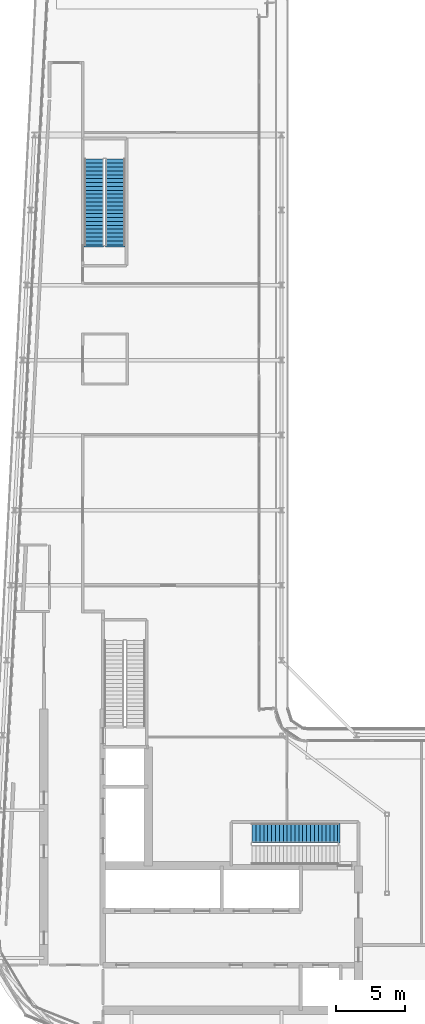
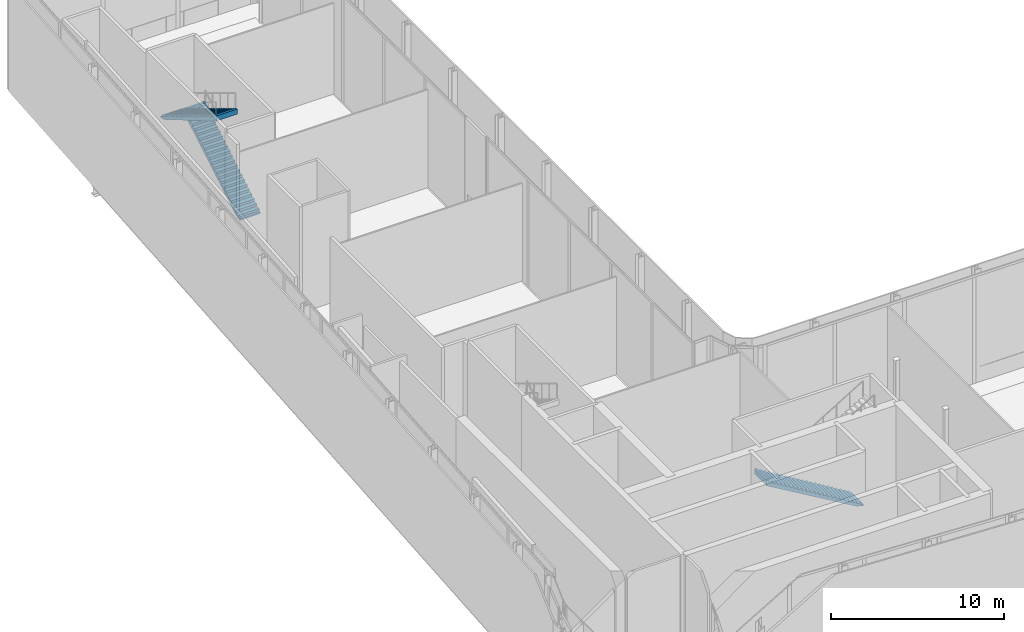
# One storey, part 24 of 28: 3 stair flights, 2 elements without a shape of their own.
"""IFC4 building model written with IfcOpenShell, lengths in metres."""

from ifc_helpers import new_model, si_unit, direction, frame, origin, place, context, subcontext, project, spatial, polyline, outline, extrude, material, layer, layer_set, type_object, element, aggregate, save


model = new_model("IFC4")

# Units and contexts
model_context = context("Model", 3, precision=1e-05, world=origin(), true_north=direction((0.0, 1.0)))
body_context = subcontext(model_context, "Body", "Model", "MODEL_VIEW")
ifc_project = project(units=[si_unit("LENGTHUNIT", "METRE"), si_unit("AREAUNIT", "SQUARE_METRE"), si_unit("VOLUMEUNIT", "CUBIC_METRE"), si_unit("PLANEANGLEUNIT", "RADIAN"), si_unit("MASSUNIT", "GRAM", prefix="KILO")], contexts=[model_context])

# Site, building, storey
site_placement = place(None, origin())
site = spatial("IfcSite", under=ifc_project, at=site_placement, CompositionType="ELEMENT")
building_placement = place(site_placement, origin())
building = spatial("IfcBuilding", under=site, at=building_placement, Name="Kheshtan School and Residences Tower", CompositionType="ELEMENT")
storey_placement = place(building_placement, frame((0.0, 0.0, 325.39990234375)))
storey = spatial("IfcBuildingStorey", under=building, at=storey_placement, Name="L77", CompositionType="ELEMENT", Elevation=325.39990234375)

# Stair, stair flight
ifc_material = material(Name="Concrete C40/50", Category="concrete")
stair_type = type_object("IfcStairType", Name="Exit stair, half-turn", PredefinedType="HALF_TURN_STAIR", material=ifc_material)
stair_1_placement = place(storey_placement, origin())
stair_1 = element("IfcStair", 1, at=stair_1_placement, inside=storey, type_object=stair_type, Name="L77 Protected Exit Stair ST1", PredefinedType="HALF_TURN_STAIR")
ifc_layer = layer(ifc_material, 0.14990234375)
ifc_layer_set = layer_set([ifc_layer], Name="Stair flight 1400 Concrete C40/50")
stair_flight_type = type_object("IfcStairFlightType", Name="Stair flight 1400 Concrete C40/50", PredefinedType="STRAIGHT", material=ifc_layer_set)
stair_flight_1_placement = place(storey_placement, frame((51.64990234375, 38.550048828125, 0.0), z_axis=(0.0, 0.0, 1.0), x_axis=(-1.0, 0.0, 0.0)))
stair_flight_1 = element("IfcStairFlight", 2, at=stair_flight_1_placement, type_object=stair_flight_type, Name="ST1 flight 1", NumberOfRisers=23, NumberOfTreads=22, PredefinedType="STRAIGHT", RiserHeight=0.169565217, TreadLength=0.28, context=body_context, shape_type="SweptSolid", body=[
    extrude(outline(polyline([(-0.14990234375, -0.10009765625), (-0.14990234375, 0.0), (0.0, 0.0), (0.0, 0.169677734375), (0.280029296875, 0.169677734375), (0.280029296875, 0.339111328125), (0.56005859375, 0.339111328125), (0.56005859375, 0.5087890625), (0.840087890625, 0.5087890625), (0.840087890625, 0.67822265625), (1.1201171875, 0.67822265625), (1.1201171875, 0.847900390625), (1.39990234375, 0.847900390625), (1.39990234375, 1.017333984375), (1.679931640625, 1.017333984375), (1.679931640625, 1.18701171875), (1.9599609375, 1.18701171875), (1.9599609375, 1.3564453125), (2.239990234375, 1.3564453125), (2.239990234375, 1.526123046875), (2.52001953125, 1.526123046875), (2.52001953125, 1.695556640625), (2.800048828125, 1.695556640625), (2.800048828125, 1.865234375), (3.080078125, 1.865234375), (3.080078125, 2.03466796875), (3.360107421875, 2.03466796875), (3.360107421875, 2.204345703125), (3.639892578125, 2.204345703125), (3.639892578125, 2.3740234375), (3.919921875, 2.3740234375), (3.919921875, 2.54345703125), (4.199951171875, 2.54345703125), (4.199951171875, 2.713134765625), (4.47998046875, 2.713134765625), (4.47998046875, 2.882568359375), (4.760009765625, 2.882568359375), (4.760009765625, 3.05224609375), (5.0400390625, 3.05224609375), (5.0400390625, 3.2216796875), (5.320068359375, 3.2216796875), (5.320068359375, 3.391357421875), (5.60009765625, 3.391357421875), (5.60009765625, 3.560791015625), (5.8798828125, 3.560791015625), (5.8798828125, 3.73046875), (6.159912109375, 3.73046875), (6.159912109375, 3.89990234375), (6.159912109375, 3.919921875), (6.309814453125, 3.919921875), (6.309814453125, 3.55517578125), (0.289306640625, 0.0), (-0.14990234375, -0.10009765625)])), frame((0.0, 0.699951171875, 0.0), z_axis=(0.0, -1.0, 0.0), x_axis=(1.0, 0.0, 0.0)), (0.0, 0.0, 1.0), 1.39990234375),
])
aggregate(stair_1, [stair_flight_1])

# Stair, stair flights
stair_2_placement = place(storey_placement, origin())
stair_2 = element("IfcStair", 3, at=stair_2_placement, inside=storey, type_object=stair_type, Name="L77 Protected Exit Stair ST3", PredefinedType="HALF_TURN_STAIR")
stair_flight_2_placement = place(storey_placement, frame((35.64990234375, 80.89990234375, 0.0), z_axis=(0.0, 0.0, 1.0), x_axis=(0.0, 1.0, 0.0)))
stair_flight_2 = element("IfcStairFlight", 4, at=stair_flight_2_placement, type_object=stair_flight_type, Name="ST3 flight 1", NumberOfRisers=23, NumberOfTreads=22, PredefinedType="STRAIGHT", RiserHeight=0.169565217, TreadLength=0.28, context=body_context, shape_type="SweptSolid", body=[
    extrude(outline(polyline([(-0.14990234375, -0.10009765625), (-0.14990234375, 0.0), (0.0, 0.0), (0.0, 0.169677734375), (0.280029296875, 0.169677734375), (0.280029296875, 0.339111328125), (0.56005859375, 0.339111328125), (0.56005859375, 0.5087890625), (0.840087890625, 0.5087890625), (0.840087890625, 0.67822265625), (1.1201171875, 0.67822265625), (1.1201171875, 0.847900390625), (1.39990234375, 0.847900390625), (1.39990234375, 1.017333984375), (1.679931640625, 1.017333984375), (1.679931640625, 1.18701171875), (1.9599609375, 1.18701171875), (1.9599609375, 1.3564453125), (2.239990234375, 1.3564453125), (2.239990234375, 1.526123046875), (2.52001953125, 1.526123046875), (2.52001953125, 1.695556640625), (2.800048828125, 1.695556640625), (2.800048828125, 1.865234375), (3.080078125, 1.865234375), (3.080078125, 2.03466796875), (3.360107421875, 2.03466796875), (3.360107421875, 2.204345703125), (3.639892578125, 2.204345703125), (3.639892578125, 2.3740234375), (3.919921875, 2.3740234375), (3.919921875, 2.54345703125), (4.199951171875, 2.54345703125), (4.199951171875, 2.713134765625), (4.47998046875, 2.713134765625), (4.47998046875, 2.882568359375), (4.760009765625, 2.882568359375), (4.760009765625, 3.05224609375), (5.0400390625, 3.05224609375), (5.0400390625, 3.2216796875), (5.320068359375, 3.2216796875), (5.320068359375, 3.391357421875), (5.60009765625, 3.391357421875), (5.60009765625, 3.560791015625), (5.8798828125, 3.560791015625), (5.8798828125, 3.73046875), (6.159912109375, 3.73046875), (6.159912109375, 3.89990234375), (6.159912109375, 3.919921875), (6.309814453125, 3.919921875), (6.309814453125, 3.55517578125), (0.289306640625, 0.0), (-0.14990234375, -0.10009765625)])), frame((0.0, 0.699951171875, 0.0), z_axis=(0.0, -1.0, 0.0), x_axis=(1.0, 0.0, 0.0)), (0.0, 0.0, 1.0), 1.39990234375),
])
stair_flight_3_placement = place(storey_placement, frame((34.10009765625, 87.06005859375, 3.900146484375), z_axis=(0.0, 0.0, 1.0), x_axis=(0.0, -1.0, 0.0)))
stair_flight_3 = element("IfcStairFlight", 5, at=stair_flight_3_placement, type_object=stair_flight_type, Name="ST3 flight 2", NumberOfRisers=23, NumberOfTreads=22, PredefinedType="STRAIGHT", RiserHeight=0.169565217, TreadLength=0.28, context=body_context, shape_type="SweptSolid", body=[
    extrude(outline(polyline([(-0.14990234375, -0.10009765625), (-0.14990234375, 0.0), (0.0, 0.0), (0.0, 0.169677734375), (0.280029296875, 0.169677734375), (0.280029296875, 0.339111328125), (0.56005859375, 0.339111328125), (0.56005859375, 0.5087890625), (0.840087890625, 0.5087890625), (0.840087890625, 0.67822265625), (1.1201171875, 0.67822265625), (1.1201171875, 0.847900390625), (1.39990234375, 0.847900390625), (1.39990234375, 1.017333984375), (1.679931640625, 1.017333984375), (1.679931640625, 1.18701171875), (1.9599609375, 1.18701171875), (1.9599609375, 1.3564453125), (2.239990234375, 1.3564453125), (2.239990234375, 1.526123046875), (2.52001953125, 1.526123046875), (2.52001953125, 1.695556640625), (2.800048828125, 1.695556640625), (2.800048828125, 1.865234375), (3.080078125, 1.865234375), (3.080078125, 2.03466796875), (3.360107421875, 2.03466796875), (3.360107421875, 2.204345703125), (3.639892578125, 2.204345703125), (3.639892578125, 2.3740234375), (3.919921875, 2.3740234375), (3.919921875, 2.54345703125), (4.199951171875, 2.54345703125), (4.199951171875, 2.713134765625), (4.47998046875, 2.713134765625), (4.47998046875, 2.882568359375), (4.760009765625, 2.882568359375), (4.760009765625, 3.05224609375), (5.0400390625, 3.05224609375), (5.0400390625, 3.2216796875), (5.320068359375, 3.2216796875), (5.320068359375, 3.391357421875), (5.60009765625, 3.391357421875), (5.60009765625, 3.560791015625), (5.8798828125, 3.560791015625), (5.8798828125, 3.73046875), (6.159912109375, 3.73046875), (6.159912109375, 3.89990234375), (6.159912109375, 3.919921875), (6.309814453125, 3.919921875), (6.309814453125, 3.55517578125), (0.289306640625, 0.0), (-0.14990234375, -0.10009765625)])), frame((0.0, 0.699951171875, 0.0), z_axis=(0.0, -1.0, 0.0), x_axis=(1.0, 0.0, 0.0)), (0.0, 0.0, 1.0), 1.39990234375),
])
aggregate(stair_2, [stair_flight_2, stair_flight_3])

save(model, "model.ifc")
